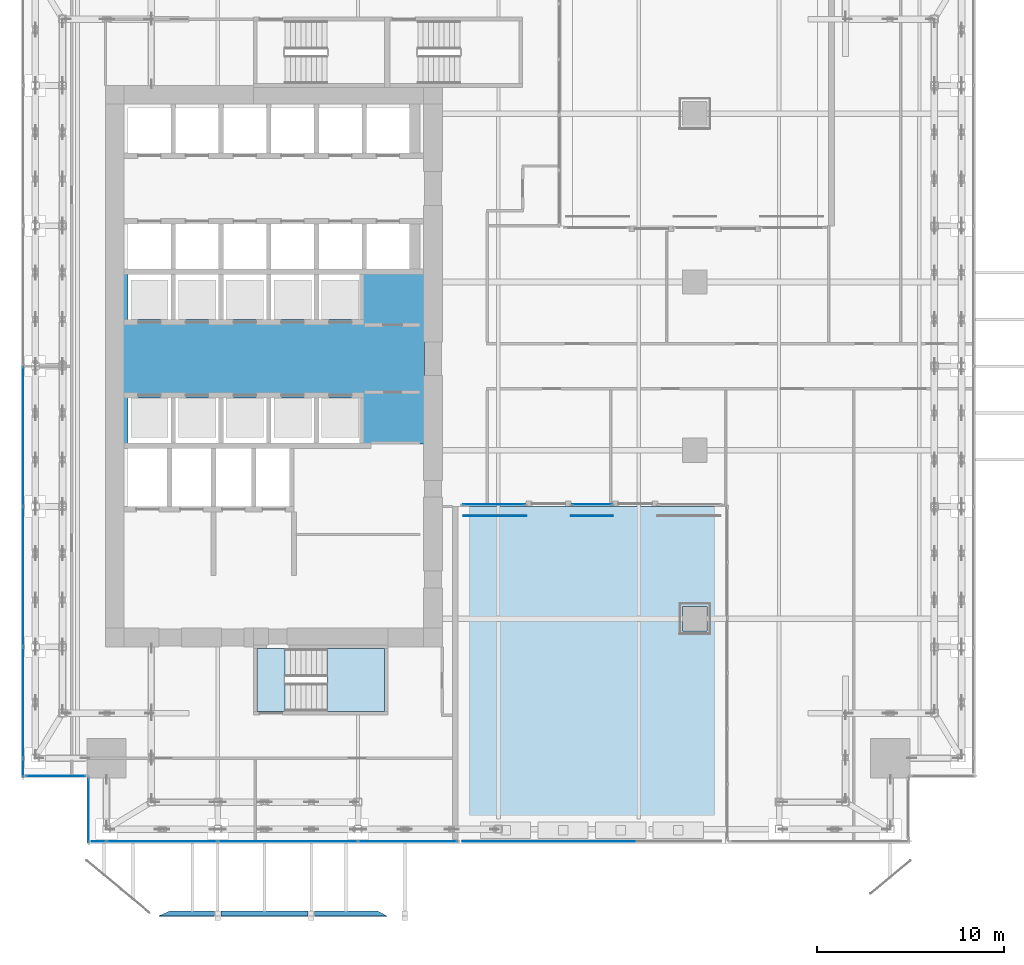
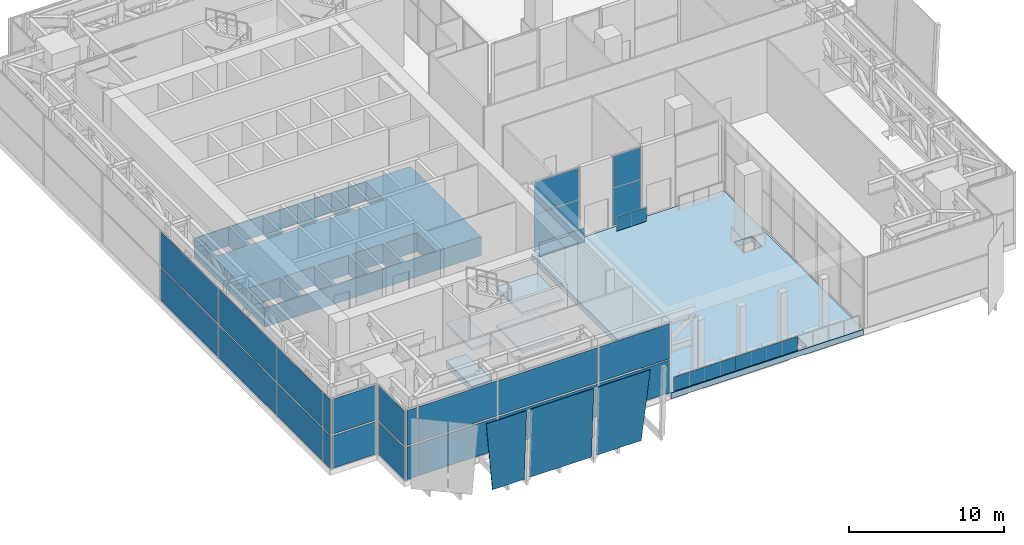
# One storey, part 31 of 47: 31 plates, 6 slabs, 7 elements without a shape of their own.
"""IFC4 building model written with IfcOpenShell, lengths in metres."""

from ifc_helpers import new_model, si_unit, direction, frame, origin, origin_2d, place, context, subcontext, project, spatial, polyline, rectangle, outline, extrude, source, transform, mapped, material, layer, layer_set, type_object, element, aggregate, save


model = new_model("IFC4")

# Units and contexts
model_context = context("Model", 3, precision=1e-05, world=origin(), true_north=direction((0.0, 1.0)))
body_context = subcontext(model_context, "Body", "Model", "MODEL_VIEW")
ifc_project = project(units=[si_unit("LENGTHUNIT", "METRE"), si_unit("AREAUNIT", "SQUARE_METRE"), si_unit("VOLUMEUNIT", "CUBIC_METRE"), si_unit("PLANEANGLEUNIT", "RADIAN"), si_unit("MASSUNIT", "GRAM", prefix="KILO")], contexts=[model_context])

# Site, building, storey
site_placement = place(None, origin())
site = spatial("IfcSite", under=ifc_project, at=site_placement, CompositionType="ELEMENT")
building_placement = place(site_placement, origin())
building = spatial("IfcBuilding", under=site, at=building_placement, Name="Khomas Fold Tower", CompositionType="ELEMENT")
storey_placement = place(building_placement, frame((0.0, 0.0, 158.699951171875)))
storey = spatial("IfcBuildingStorey", under=building, at=storey_placement, Name="L34", CompositionType="ELEMENT", Elevation=158.699951171875)

# Plates
ifc_material_1 = material(Name="Clear laminated glass", Category="glass")
ifc_layer_1 = layer(ifc_material_1, 0.0400390625)
ifc_layer_set_1 = layer_set([ifc_layer_1], Name="Clear laminated glass")
plate_type_1 = type_object("IfcPlateType", Name="SK-Clear laminated glass leaf", PredefinedType="SHEET", material=ifc_layer_set_1)
plate_1_placement = place(storey_placement, frame((9.44970703125, -2.115234375, 0.0), z_axis=(0.0, 0.998875482157, 0.047410664903), x_axis=(-0.107335528742, -0.047136766591, 0.993104833089)))
element("IfcPlate", 1, at=plate_1_placement, inside=storey, type_object=plate_type_1, Name="OUTER SKIN glass L34 SG099-3", PredefinedType="SHEET", context=body_context, shape_type="SweptSolid", body=[
    extrude(outline(polyline([(0.0, 0.0), (5.588583040987878, 1.1102230246251565e-16), (5.268699056769629, 2.9630074179733388), (-0.2554983899506776, 2.3666193434291842), (0.0, 0.0)])), origin(), (0.0, 0.0, -1.0), 0.0400390625),
])
plate_2_placement = place(storey_placement, frame((12.169921875, -2.115234375, 0.0), z_axis=(0.0, 0.998875482157, 0.047410664903), x_axis=(0.0, -0.047410664903, 0.998875482157)))
element("IfcPlate", 2, at=plate_2_placement, inside=storey, type_object=plate_type_1, Name="OUTER SKIN glass L34 SG100-5", PredefinedType="SHEET", context=body_context, shape_type="SweptSolid", body=[
    extrude(outline(polyline([(0.0, 0.0), (5.556296983226296, 0.0), (5.556296983226296, 4.660156249999999), (0.0, 4.660156249999999), (0.0, 0.0)])), origin(), (0.0, 0.0, -1.0), 0.0400390625),
])
plate_3_placement = place(storey_placement, frame((20.52490234375, -2.115234375, 0.0), z_axis=(0.0, 0.998875482157, 0.047410664903), x_axis=(-1.0, 0.0, 0.0)))
element("IfcPlate", 3, at=plate_3_placement, inside=storey, type_object=plate_type_1, Name="OUTER SKIN glass L34 SG101-7", PredefinedType="SHEET", context=body_context, shape_type="SweptSolid", body=[
    extrude(outline(polyline([(0.0, 0.0), (3.35498046875, 0.0), (3.35498046875, 5.556296983226296), (-0.513671875, 5.556296983226296), (0.0, 0.0)])), origin(), (0.0, 0.0, -1.0), 0.0400390625),
])

# Slabs
ifc_material_2 = material(Name="Concrete C50/60", Category="concrete")
ifc_layer_2 = layer(ifc_material_2, 1.5)
ifc_layer_set_2 = layer_set([ifc_layer_2], Name="Concrete C50/60")
slab_type_1 = type_object("IfcSlabType", Name="RC transfer slab 1500", PredefinedType="FLOOR", material=ifc_layer_set_2)
shared_shape_1 = source(origin(), body_context, "Body", "SweptSolid", [
    extrude(outline(polyline([(6.93994140625, 22.840087890625), (23.06005859375, 22.840087890625), (23.06005859375, 31.9599609375), (6.93994140625, 31.9599609375), (6.93994140625, 22.840087890625)]), holes=[polyline([(7.199951171875, 22.89990234375), (7.199951171875, 25.300048828125), (9.5, 25.300048828125), (9.5, 22.89990234375), (7.199951171875, 22.89990234375)]), polyline([(7.199951171875, 29.5), (7.199951171875, 31.89990234375), (9.5, 31.89990234375), (9.5, 29.5), (7.199951171875, 29.5)]), polyline([(9.75, 22.89990234375), (9.75, 25.300048828125), (12.050048828125, 25.300048828125), (12.050048828125, 22.89990234375), (9.75, 22.89990234375)]), polyline([(9.75, 29.5), (9.75, 31.89990234375), (12.050048828125, 31.89990234375), (12.050048828125, 29.5), (9.75, 29.5)]), polyline([(12.300048828125, 22.89990234375), (12.300048828125, 25.300048828125), (14.60009765625, 25.300048828125), (14.60009765625, 22.89990234375), (12.300048828125, 22.89990234375)]), polyline([(12.300048828125, 29.5), (12.300048828125, 31.89990234375), (14.60009765625, 31.89990234375), (14.60009765625, 29.5), (12.300048828125, 29.5)]), polyline([(14.85009765625, 22.89990234375), (14.85009765625, 25.300048828125), (17.14990234375, 25.300048828125), (17.14990234375, 22.89990234375), (14.85009765625, 22.89990234375)]), polyline([(14.85009765625, 29.5), (14.85009765625, 31.89990234375), (17.14990234375, 31.89990234375), (17.14990234375, 29.5), (14.85009765625, 29.5)]), polyline([(17.39990234375, 22.89990234375), (17.39990234375, 25.300048828125), (19.699951171875, 25.300048828125), (19.699951171875, 22.89990234375), (17.39990234375, 22.89990234375)]), polyline([(17.39990234375, 29.5), (17.39990234375, 31.89990234375), (19.699951171875, 31.89990234375), (19.699951171875, 29.5), (17.39990234375, 29.5)])]), origin(), (0.0, 0.0, 1.0), 1.5),
])
slab_1_placement = place(storey_placement, frame((0.0, 0.0, -1.5)))
element("IfcSlab", 4, at=slab_1_placement, inside=storey, type_object=slab_type_1, Name="Transfer slab", PredefinedType="FLOOR", context=body_context, shape_type="MappedRepresentation", body=[
    mapped(shared_shape_1, transform((0.0, 0.0, 0.0))),
])
ifc_material_3 = material(Name="Concrete C40/50", Category="concrete")
ifc_layer_3 = layer(ifc_material_3, 0.449951171875)
ifc_layer_set_3 = layer_set([ifc_layer_3], Name="Concrete C40/50")
slab_type_2 = type_object("IfcSlabType", Name="RC terrace slab 450", PredefinedType="FLOOR", material=ifc_layer_set_3)
shared_shape_2 = source(origin(), body_context, "Body", "SweptSolid", [
    extrude(outline(polyline([(24.85009765625, 1.5), (39.14990234375, 1.5), (39.14990234375, 19.5), (24.85009765625, 19.5), (24.85009765625, 1.5)]), holes=[polyline([(26.445068359375, 1.695068359375), (26.445068359375, 2.804931640625), (27.554931640625, 2.804931640625), (27.554931640625, 1.695068359375), (26.445068359375, 1.695068359375)]), polyline([(33.945068359375, 1.695068359375), (33.945068359375, 2.804931640625), (35.054931640625, 2.804931640625), (35.054931640625, 1.695068359375), (33.945068359375, 1.695068359375)]), polyline([(36.844970703125, 12.844970703125), (36.844970703125, 14.155029296875), (38.155029296875, 14.155029296875), (38.155029296875, 12.844970703125), (36.844970703125, 12.844970703125)])]), origin(), (0.0, 0.0, 1.0), 0.449951171875),
])
slab_2_placement = place(storey_placement, frame((0.0, 0.0, -0.449951171875)))
element("IfcSlab", 5, at=slab_2_placement, inside=storey, type_object=slab_type_2, Name="Garden terrace slab", PredefinedType="FLOOR", context=body_context, shape_type="MappedRepresentation", body=[
    mapped(shared_shape_2, transform((0.0, 0.0, 0.0))),
])

# Curtain wall, plates
ifc_material_4 = material(Name="Aluminium framed double glazing", Category="aluminium")
curtain_wall_type_1 = type_object("IfcCurtainWallType", Name="SK-Unitised clear-glass wall, growing floors CW1", PredefinedType="NOTDEFINED", material=ifc_material_4)
curtain_wall_1_placement = place(storey_placement, origin())
curtain_wall_1 = element("IfcCurtainWall", 6, at=curtain_wall_1_placement, inside=storey, type_object=curtain_wall_type_1, Name="CW1 corner return L34 00", PredefinedType="NOTDEFINED")
ifc_material_5 = material(Name="Insulated metal spandrel panel")
ifc_layer_4 = layer(ifc_material_5, 0.031982421875)
ifc_layer_set_4 = layer_set([ifc_layer_4], Name="Insulated metal spandrel panel")
plate_type_2 = type_object("IfcPlateType", Name="SK-Unitised clear-glass wall, growing floors spandrel panel CW1-S", PredefinedType="CURTAIN_PANEL", material=ifc_layer_set_4)
shared_shape_3 = source(origin(), body_context, "Body", "SweptSolid", [
    extrude(rectangle(XDim=3.3798828125, YDim=0.031982421875, at=origin_2d()), origin(), (0.0, 0.0, 1.0), 2.752685546875),
])
plate_4_placement = place(storey_placement, frame((5.10009765625, 3.25, 2.67724609375), z_axis=(0.0, 0.0, 1.0), x_axis=(0.0, -1.0, 0.0)))
plate_4 = element("IfcPlate", 7, at=plate_4_placement, type_object=plate_type_2, Name="CW1 spandrel panel 1", PredefinedType="CURTAIN_PANEL", context=body_context, shape_type="MappedRepresentation", body=[
    mapped(shared_shape_3, transform((0.0, 0.0, 0.0))),
])
ifc_material_6 = material(Name="Clear double glazed unit")
ifc_layer_5 = layer(ifc_material_6, 0.031982421875)
ifc_layer_set_5 = layer_set([ifc_layer_5], Name="Clear double glazed unit")
plate_type_3 = type_object("IfcPlateType", Name="SK-Unitised clear-glass wall, growing floors glass panel CW1-P", PredefinedType="CURTAIN_PANEL", material=ifc_layer_set_5)
shared_shape_4 = source(origin(), body_context, "Body", "SweptSolid", [
    extrude(rectangle(XDim=3.3798828125, YDim=0.031982421875, at=origin_2d()), origin(), (0.0, 0.0, 1.0), 2.55712890625),
])
plate_5_placement = place(storey_placement, frame((5.10009765625, 3.25, 0.0), z_axis=(0.0, 0.0, 1.0), x_axis=(0.0, -1.0, 0.0)))
plate_5 = element("IfcPlate", 8, at=plate_5_placement, type_object=plate_type_3, Name="CW1 glass panel 1", PredefinedType="CURTAIN_PANEL", context=body_context, shape_type="MappedRepresentation", body=[
    mapped(shared_shape_4, transform((0.0, 0.0, 0.0))),
])
aggregate(curtain_wall_1, [plate_4, plate_5])

curtain_wall_2_placement = place(storey_placement, origin())
curtain_wall_2 = element("IfcCurtainWall", 9, at=curtain_wall_2_placement, inside=storey, type_object=curtain_wall_type_1, Name="CW1 run L34 01-0", PredefinedType="NOTDEFINED")
shared_shape_5 = source(origin(), body_context, "Body", "SweptSolid", [
    extrude(rectangle(XDim=0.760009765625, YDim=0.031982421875, at=origin_2d()), origin(), (0.0, 0.0, 1.0), 2.752685546875),
])
plate_6_placement = place(storey_placement, frame((5.639892578125, 1.60009765625, 2.67724609375), z_axis=(0.0, 0.0, 1.0), x_axis=(1.0, 0.0, 0.0)))
plate_6 = element("IfcPlate", 10, at=plate_6_placement, type_object=plate_type_2, Name="CW1 spandrel panel 1", PredefinedType="CURTAIN_PANEL", context=body_context, shape_type="MappedRepresentation", body=[
    mapped(shared_shape_5, transform((0.0, 0.0, 0.0))),
])
shared_shape_6 = source(origin(), body_context, "Body", "SweptSolid", [
    extrude(rectangle(XDim=0.760009765625, YDim=0.031982421875, at=origin_2d()), origin(), (0.0, 0.0, 1.0), 2.55712890625),
])
plate_7_placement = place(storey_placement, frame((5.639892578125, 1.60009765625, 0.0), z_axis=(0.0, 0.0, 1.0), x_axis=(1.0, 0.0, 0.0)))
plate_7 = element("IfcPlate", 11, at=plate_7_placement, type_object=plate_type_3, Name="CW1 glass panel 1", PredefinedType="CURTAIN_PANEL", context=body_context, shape_type="MappedRepresentation", body=[
    mapped(shared_shape_6, transform((0.0, 0.0, 0.0))),
])
shared_shape_7 = source(origin(), body_context, "Body", "SweptSolid", [
    extrude(rectangle(XDim=5.889892578125, YDim=0.031982421875, at=origin_2d()), origin(), (0.0, 0.0, 1.0), 2.752685546875),
])
plate_8_placement = place(storey_placement, frame((9.02490234375, 1.60009765625, 2.67724609375), z_axis=(0.0, 0.0, 1.0), x_axis=(1.0, 0.0, 0.0)))
plate_8 = element("IfcPlate", 12, at=plate_8_placement, type_object=plate_type_2, Name="CW1 spandrel panel 2", PredefinedType="CURTAIN_PANEL", context=body_context, shape_type="MappedRepresentation", body=[
    mapped(shared_shape_7, transform((0.0, 0.0, 0.0))),
])

# Curtain wall, plate
curtain_wall_3_placement = place(storey_placement, origin())
curtain_wall_3 = element("IfcCurtainWall", 13, at=curtain_wall_3_placement, inside=storey, type_object=curtain_wall_type_1, Name="CW1 run L34 18-0", PredefinedType="NOTDEFINED")
plate_9_placement = place(storey_placement, frame((1.60009765625, 9.02490234375, 2.67724609375), z_axis=(0.0, 0.0, 1.0), x_axis=(0.0, -1.0, 0.0)))
plate_9 = element("IfcPlate", 14, at=plate_9_placement, type_object=plate_type_2, Name="CW1 spandrel panel 7", PredefinedType="CURTAIN_PANEL", context=body_context, shape_type="MappedRepresentation", body=[
    mapped(shared_shape_7, transform((0.0, 0.0, 0.0))),
])

# Plate
shared_shape_8 = source(origin(), body_context, "Body", "SweptSolid", [
    extrude(rectangle(XDim=5.889892578125, YDim=0.031982421875, at=origin_2d()), origin(), (0.0, 0.0, 1.0), 2.55712890625),
])
plate_10_placement = place(storey_placement, frame((9.02490234375, 1.60009765625, 0.0), z_axis=(0.0, 0.0, 1.0), x_axis=(1.0, 0.0, 0.0)))
plate_10 = element("IfcPlate", 15, at=plate_10_placement, type_object=plate_type_3, Name="CW1 glass panel 2", PredefinedType="CURTAIN_PANEL", context=body_context, shape_type="MappedRepresentation", body=[
    mapped(shared_shape_8, transform((0.0, 0.0, 0.0))),
])

plate_11_placement = place(storey_placement, frame((1.60009765625, 9.02490234375, 0.0), z_axis=(0.0, 0.0, 1.0), x_axis=(0.0, -1.0, 0.0)))
plate_11 = element("IfcPlate", 16, at=plate_11_placement, type_object=plate_type_3, Name="CW1 glass panel 7", PredefinedType="CURTAIN_PANEL", context=body_context, shape_type="MappedRepresentation", body=[
    mapped(shared_shape_8, transform((0.0, 0.0, 0.0))),
])

shared_shape_9 = source(origin(), body_context, "Body", "SweptSolid", [
    extrude(rectangle(XDim=7.43994140625, YDim=0.031982421875, at=origin_2d()), origin(), (0.0, 0.0, 1.0), 2.752685546875),
])
plate_12_placement = place(storey_placement, frame((15.75, 1.60009765625, 2.67724609375), z_axis=(0.0, 0.0, 1.0), x_axis=(1.0, 0.0, 0.0)))
plate_12 = element("IfcPlate", 17, at=plate_12_placement, type_object=plate_type_2, Name="CW1 spandrel panel 3", PredefinedType="CURTAIN_PANEL", context=body_context, shape_type="MappedRepresentation", body=[
    mapped(shared_shape_9, transform((0.0, 0.0, 0.0))),
])

plate_13_placement = place(storey_placement, frame((1.60009765625, 23.25, 2.67724609375), z_axis=(0.0, 0.0, 1.0), x_axis=(0.0, -1.0, 0.0)))
plate_13 = element("IfcPlate", 18, at=plate_13_placement, type_object=plate_type_2, Name="CW1 spandrel panel 5", PredefinedType="CURTAIN_PANEL", context=body_context, shape_type="MappedRepresentation", body=[
    mapped(shared_shape_9, transform((0.0, 0.0, 0.0))),
])

plate_14_placement = place(storey_placement, frame((1.60009765625, 15.75, 2.67724609375), z_axis=(0.0, 0.0, 1.0), x_axis=(0.0, -1.0, 0.0)))
plate_14 = element("IfcPlate", 19, at=plate_14_placement, type_object=plate_type_2, Name="CW1 spandrel panel 6", PredefinedType="CURTAIN_PANEL", context=body_context, shape_type="MappedRepresentation", body=[
    mapped(shared_shape_9, transform((0.0, 0.0, 0.0))),
])

shared_shape_10 = source(origin(), body_context, "Body", "SweptSolid", [
    extrude(rectangle(XDim=7.43994140625, YDim=0.031982421875, at=origin_2d()), origin(), (0.0, 0.0, 1.0), 2.55712890625),
])
plate_15_placement = place(storey_placement, frame((15.75, 1.60009765625, 0.0), z_axis=(0.0, 0.0, 1.0), x_axis=(1.0, 0.0, 0.0)))
plate_15 = element("IfcPlate", 20, at=plate_15_placement, type_object=plate_type_3, Name="CW1 glass panel 3", PredefinedType="CURTAIN_PANEL", context=body_context, shape_type="MappedRepresentation", body=[
    mapped(shared_shape_10, transform((0.0, 0.0, 0.0))),
])

plate_16_placement = place(storey_placement, frame((1.60009765625, 23.25, 0.0), z_axis=(0.0, 0.0, 1.0), x_axis=(0.0, -1.0, 0.0)))
plate_16 = element("IfcPlate", 21, at=plate_16_placement, type_object=plate_type_3, Name="CW1 glass panel 5", PredefinedType="CURTAIN_PANEL", context=body_context, shape_type="MappedRepresentation", body=[
    mapped(shared_shape_10, transform((0.0, 0.0, 0.0))),
])

plate_17_placement = place(storey_placement, frame((1.60009765625, 15.75, 0.0), z_axis=(0.0, 0.0, 1.0), x_axis=(0.0, -1.0, 0.0)))
plate_17 = element("IfcPlate", 22, at=plate_17_placement, type_object=plate_type_3, Name="CW1 glass panel 6", PredefinedType="CURTAIN_PANEL", context=body_context, shape_type="MappedRepresentation", body=[
    mapped(shared_shape_10, transform((0.0, 0.0, 0.0))),
])

shared_shape_11 = source(origin(), body_context, "Body", "SweptSolid", [
    extrude(rectangle(XDim=5.260009765625, YDim=0.031982421875, at=origin_2d()), origin(), (0.0, 0.0, 1.0), 2.752685546875),
])
plate_18_placement = place(storey_placement, frame((22.159912109375, 1.60009765625, 2.67724609375), z_axis=(0.0, 0.0, 1.0), x_axis=(1.0, 0.0, 0.0)))
plate_18 = element("IfcPlate", 23, at=plate_18_placement, type_object=plate_type_2, Name="CW1 spandrel panel 4", PredefinedType="CURTAIN_PANEL", context=body_context, shape_type="MappedRepresentation", body=[
    mapped(shared_shape_11, transform((0.0, 0.0, 0.0))),
])

shared_shape_12 = source(origin(), body_context, "Body", "SweptSolid", [
    extrude(rectangle(XDim=5.260009765625, YDim=0.031982421875, at=origin_2d()), origin(), (0.0, 0.0, 1.0), 2.55712890625),
])
plate_19_placement = place(storey_placement, frame((22.159912109375, 1.60009765625, 0.0), z_axis=(0.0, 0.0, 1.0), x_axis=(1.0, 0.0, 0.0)))
plate_19 = element("IfcPlate", 24, at=plate_19_placement, type_object=plate_type_3, Name="CW1 glass panel 4", PredefinedType="CURTAIN_PANEL", context=body_context, shape_type="MappedRepresentation", body=[
    mapped(shared_shape_12, transform((0.0, 0.0, 0.0))),
])

aggregate(curtain_wall_2, [plate_6, plate_7, plate_8, plate_10, plate_12, plate_15, plate_18, plate_19])

# Curtain wall, plates
curtain_wall_4_placement = place(storey_placement, origin())
curtain_wall_4 = element("IfcCurtainWall", 25, at=curtain_wall_4_placement, inside=storey, type_object=curtain_wall_type_1, Name="CW1 corner return L34 19", PredefinedType="NOTDEFINED")
shared_shape_13 = source(origin(), body_context, "Body", "SweptSolid", [
    extrude(rectangle(XDim=3.179931640625, YDim=0.031982421875, at=origin_2d()), origin(), (0.0, 0.0, 1.0), 2.752685546875),
])
plate_20_placement = place(storey_placement, frame((3.35009765625, 5.10009765625, 2.67724609375), z_axis=(0.0, 0.0, 1.0), x_axis=(1.0, 0.0, 0.0)))
plate_20 = element("IfcPlate", 26, at=plate_20_placement, type_object=plate_type_2, Name="CW1 spandrel panel 1", PredefinedType="CURTAIN_PANEL", context=body_context, shape_type="MappedRepresentation", body=[
    mapped(shared_shape_13, transform((0.0, 0.0, 0.0))),
])
shared_shape_14 = source(origin(), body_context, "Body", "SweptSolid", [
    extrude(rectangle(XDim=3.179931640625, YDim=0.031982421875, at=origin_2d()), origin(), (0.0, 0.0, 1.0), 2.55712890625),
])
plate_21_placement = place(storey_placement, frame((3.35009765625, 5.10009765625, 0.0), z_axis=(0.0, 0.0, 1.0), x_axis=(1.0, 0.0, 0.0)))
plate_21 = element("IfcPlate", 27, at=plate_21_placement, type_object=plate_type_3, Name="CW1 glass panel 1", PredefinedType="CURTAIN_PANEL", context=body_context, shape_type="MappedRepresentation", body=[
    mapped(shared_shape_14, transform((0.0, 0.0, 0.0))),
])
aggregate(curtain_wall_4, [plate_20, plate_21])

# Plate
shared_shape_15 = source(origin(), body_context, "Body", "SweptSolid", [
    extrude(rectangle(XDim=0.9599609375, YDim=0.031982421875, at=origin_2d()), origin(), (0.0, 0.0, 1.0), 2.752685546875),
])
plate_22_placement = place(storey_placement, frame((1.60009765625, 5.5400390625, 2.67724609375), z_axis=(0.0, 0.0, 1.0), x_axis=(0.0, -1.0, 0.0)))
plate_22 = element("IfcPlate", 28, at=plate_22_placement, type_object=plate_type_2, Name="CW1 spandrel panel 8", PredefinedType="CURTAIN_PANEL", context=body_context, shape_type="MappedRepresentation", body=[
    mapped(shared_shape_15, transform((0.0, 0.0, 0.0))),
])

shared_shape_16 = source(origin(), body_context, "Body", "SweptSolid", [
    extrude(rectangle(XDim=0.9599609375, YDim=0.031982421875, at=origin_2d()), origin(), (0.0, 0.0, 1.0), 2.55712890625),
])
plate_23_placement = place(storey_placement, frame((1.60009765625, 5.5400390625, 0.0), z_axis=(0.0, 0.0, 1.0), x_axis=(0.0, -1.0, 0.0)))
plate_23 = element("IfcPlate", 29, at=plate_23_placement, type_object=plate_type_3, Name="CW1 glass panel 8", PredefinedType="CURTAIN_PANEL", context=body_context, shape_type="MappedRepresentation", body=[
    mapped(shared_shape_16, transform((0.0, 0.0, 0.0))),
])

aggregate(curtain_wall_3, [plate_13, plate_16, plate_14, plate_17, plate_9, plate_11, plate_22, plate_23])

# Curtain wall, plates
ifc_material_7 = material(Name="Aluminium framed double glazing", Category="aluminium")
curtain_wall_type_2 = type_object("IfcCurtainWallType", Name="Notch glazing GN-CW", PredefinedType="NOTDEFINED", material=ifc_material_7)
curtain_wall_5_placement = place(storey_placement, origin())
curtain_wall_5 = element("IfcCurtainWall", 30, at=curtain_wall_5_placement, inside=storey, type_object=curtain_wall_type_2, Name="Notch glazing run", PredefinedType="NOTDEFINED")
ifc_material_8 = material(Name="Double glazed unit")
ifc_layer_6 = layer(ifc_material_8, 0.031982421875)
ifc_layer_set_6 = layer_set([ifc_layer_6], Name="Double glazed unit")
plate_type_4 = type_object("IfcPlateType", Name="Notch glazing panel GN-CW-P", PredefinedType="CURTAIN_PANEL", material=ifc_layer_set_6)
shared_shape_17 = source(origin(), body_context, "Body", "SweptSolid", [
    extrude(rectangle(XDim=3.313232421875, YDim=0.031982421875, at=origin_2d()), origin(), (0.0, 0.0, 1.0), 2.909912109375),
])
plate_24_placement = place(storey_placement, frame((26.7666015625, 19.60009765625, 0.06005859375), z_axis=(0.0, 0.0, 1.0), x_axis=(1.0, 0.0, 0.0)))
plate_24 = element("IfcPlate", 31, at=plate_24_placement, type_object=plate_type_4, Name="GN-CW panel 1.1", PredefinedType="CURTAIN_PANEL", context=body_context, shape_type="MappedRepresentation", body=[
    mapped(shared_shape_17, transform((0.0, 0.0, 0.0))),
])
shared_shape_18 = source(origin(), body_context, "Body", "SweptSolid", [
    extrude(rectangle(XDim=3.313232421875, YDim=0.031982421875, at=origin_2d()), origin(), (0.0, 0.0, 1.0), 2.4599609375),
])
plate_25_placement = place(storey_placement, frame((26.7666015625, 19.60009765625, 3.030029296875), z_axis=(0.0, 0.0, 1.0), x_axis=(1.0, 0.0, 0.0)))
plate_25 = element("IfcPlate", 32, at=plate_25_placement, type_object=plate_type_4, Name="GN-CW panel 1.2", PredefinedType="CURTAIN_PANEL", context=body_context, shape_type="MappedRepresentation", body=[
    mapped(shared_shape_18, transform((0.0, 0.0, 0.0))),
])
aggregate(curtain_wall_5, [plate_24, plate_25])

curtain_wall_6_placement = place(storey_placement, origin())
curtain_wall_6 = element("IfcCurtainWall", 33, at=curtain_wall_6_placement, inside=storey, type_object=curtain_wall_type_2, Name="Notch glazing run", PredefinedType="NOTDEFINED")
shared_shape_19 = source(origin(), body_context, "Body", "SweptSolid", [
    extrude(rectangle(XDim=2.11328125, YDim=0.031982421875, at=origin_2d()), origin(), (0.0, 0.0, 1.0), 2.909912109375),
])
plate_26_placement = place(storey_placement, frame((32.0, 19.60009765625, 0.06005859375), z_axis=(0.0, 0.0, 1.0), x_axis=(1.0, 0.0, 0.0)))
plate_26 = element("IfcPlate", 34, at=plate_26_placement, type_object=plate_type_4, Name="GN-CW panel 1.1", PredefinedType="CURTAIN_PANEL", context=body_context, shape_type="MappedRepresentation", body=[
    mapped(shared_shape_19, transform((0.0, 0.0, 0.0))),
])
shared_shape_20 = source(origin(), body_context, "Body", "SweptSolid", [
    extrude(rectangle(XDim=2.11328125, YDim=0.031982421875, at=origin_2d()), origin(), (0.0, 0.0, 1.0), 2.4599609375),
])
plate_27_placement = place(storey_placement, frame((32.0, 19.60009765625, 3.030029296875), z_axis=(0.0, 0.0, 1.0), x_axis=(1.0, 0.0, 0.0)))
plate_27 = element("IfcPlate", 35, at=plate_27_placement, type_object=plate_type_4, Name="GN-CW panel 1.2", PredefinedType="CURTAIN_PANEL", context=body_context, shape_type="MappedRepresentation", body=[
    mapped(shared_shape_20, transform((0.0, 0.0, 0.0))),
])
aggregate(curtain_wall_6, [plate_26, plate_27])

# Plates
ifc_material_9 = material(Name="Laminated toughened glass", Category="glass")
ifc_layer_7 = layer(ifc_material_9, 0.030029296875)
ifc_layer_set_7 = layer_set([ifc_layer_7], Name="Laminated toughened glass")
plate_type_5 = type_object("IfcPlateType", Name="Guard glass infill GD-GI", PredefinedType="SHEET", material=ifc_layer_set_7)
shared_shape_21 = source(origin(), body_context, "Body", "SweptSolid", [
    extrude(rectangle(XDim=4.60009765625, YDim=0.030029296875, at=origin_2d()), origin(), (0.0, 0.0, 1.0), 1.10009765625),
])
for number, where, z_axis, x_axis, name in (
    (36, (32.0, 1.60009765625, 0.0), (0.0, 0.0, 1.0), (-1.0, 0.0, 0.0), "Guard glass infill"),
    (37, (27.39990234375, 1.60009765625, 0.0), (0.0, 0.0, 1.0), (-1.0, 0.0, 0.0), "Guard glass infill"),
):
    element("IfcPlate", number, at=place(storey_placement, frame(where, z_axis=z_axis, x_axis=x_axis)), inside=storey, type_object=plate_type_5, Name=name, PredefinedType="SHEET", context=body_context, shape_type="MappedRepresentation", body=[
        mapped(shared_shape_21, transform((0.0, 0.0, 0.0))),
    ])
shared_shape_22 = source(origin(), body_context, "Body", "SweptSolid", [
    extrude(rectangle(XDim=3.333251953125, YDim=0.030029296875, at=origin_2d()), origin(), (0.0, 0.0, 1.0), 1.10009765625),
])
plate_28_placement = place(storey_placement, frame((26.816650390625, 19.0, 0.0), z_axis=(0.0, 0.0, 1.0), x_axis=(1.0, 0.0, 0.0)))
element("IfcPlate", 38, at=plate_28_placement, inside=storey, type_object=plate_type_5, Name="Guard glass infill", PredefinedType="SHEET", context=body_context, shape_type="MappedRepresentation", body=[
    mapped(shared_shape_22, transform((0.0, 0.0, 0.0))),
])
shared_shape_23 = source(origin(), body_context, "Body", "SweptSolid", [
    extrude(rectangle(XDim=2.2333984375, YDim=0.030029296875, at=origin_2d()), origin(), (0.0, 0.0, 1.0), 1.10009765625),
])
plate_29_placement = place(storey_placement, frame((32.0, 19.0, 0.0), z_axis=(0.0, 0.0, 1.0), x_axis=(1.0, 0.0, 0.0)))
element("IfcPlate", 39, at=plate_29_placement, inside=storey, type_object=plate_type_5, Name="Guard glass infill", PredefinedType="SHEET", context=body_context, shape_type="MappedRepresentation", body=[
    mapped(shared_shape_23, transform((0.0, 0.0, 0.0))),
])

# Stair, slabs
ifc_material_10 = material(Name="Concrete C40/50", Category="concrete")
stair_type = type_object("IfcStairType", Name="Stair ST2", PredefinedType="HALF_TURN_STAIR", material=ifc_material_10)
stair_placement = place(storey_placement, origin())
stair = element("IfcStair", 40, at=stair_placement, inside=storey, type_object=stair_type, Name="L34 ST2", PredefinedType="HALF_TURN_STAIR")
ifc_material_11 = material(Name="Concrete C40/50", Category="concrete")
ifc_layer_8 = layer(ifc_material_11, 0.199951171875)
ifc_layer_set_8 = layer_set([ifc_layer_8], Name="Concrete C40/50")
slab_type_3 = type_object("IfcSlabType", Name="Stair landing 200", PredefinedType="LANDING", material=ifc_layer_set_8)
shared_shape_24 = source(origin(), body_context, "Body", "SweptSolid", [
    extrude(outline(polyline([(14.10009765625, 8.550048828125), (15.60009765625, 8.550048828125), (15.60009765625, 11.89990234375), (14.10009765625, 11.89990234375), (14.10009765625, 8.550048828125)])), origin(), (0.0, 0.0, 1.0), 0.199951171875),
])
slab_3_placement = place(storey_placement, frame((0.0, 0.0, 2.800048828125)))
slab_3 = element("IfcSlab", 41, at=slab_3_placement, type_object=slab_type_3, Name="ST2 landing 2", PredefinedType="LANDING", context=body_context, shape_type="MappedRepresentation", body=[
    mapped(shared_shape_24, transform((0.0, 0.0, 0.0))),
])
shared_shape_25 = source(origin(), body_context, "Body", "SweptSolid", [
    extrude(outline(polyline([(17.840087890625, 8.550048828125), (20.89990234375, 8.550048828125), (20.89990234375, 11.89990234375), (17.840087890625, 11.89990234375), (17.840087890625, 8.550048828125)])), origin(), (0.0, 0.0, 1.0), 0.199951171875),
])
slab_4_placement = place(storey_placement, frame((0.0, 0.0, 1.300048828125)))
slab_4 = element("IfcSlab", 42, at=slab_4_placement, type_object=slab_type_3, Name="ST2 landing 1", PredefinedType="LANDING", context=body_context, shape_type="MappedRepresentation", body=[
    mapped(shared_shape_25, transform((0.0, 0.0, 0.0))),
])
slab_5_placement = place(storey_placement, frame((0.0, 0.0, 4.300048828125)))
slab_5 = element("IfcSlab", 43, at=slab_5_placement, type_object=slab_type_3, Name="ST2 landing 3", PredefinedType="LANDING", context=body_context, shape_type="MappedRepresentation", body=[
    mapped(shared_shape_25, transform((0.0, 0.0, 0.0))),
])
aggregate(stair, [slab_4, slab_3, slab_5])

# Slab
ifc_material_12 = material(Name="Concrete C40/50", Category="concrete")
ifc_layer_9 = layer(ifc_material_12, 0.449951171875)
ifc_layer_set_9 = layer_set([ifc_layer_9], Name="Concrete C40/50")
slab_type_4 = type_object("IfcSlabType", Name="Stair floor landing 450", PredefinedType="LANDING", material=ifc_layer_set_9)
shared_shape_26 = source(origin(), body_context, "Body", "SweptSolid", [
    extrude(outline(polyline([(14.10009765625, 8.550048828125), (14.10009765625, 11.89990234375), (15.60009765625, 11.89990234375), (15.60009765625, 8.550048828125), (14.10009765625, 8.550048828125)])), origin(), (0.0, 0.0, 1.0), 0.449951171875),
])
slab_6_placement = place(storey_placement, frame((0.0, 0.0, -0.449951171875)))
element("IfcSlab", 44, at=slab_6_placement, inside=storey, type_object=slab_type_4, Name="ST2 floor landing", PredefinedType="LANDING", context=body_context, shape_type="MappedRepresentation", body=[
    mapped(shared_shape_26, transform((0.0, 0.0, 0.0))),
])

save(model, "model.ifc")
